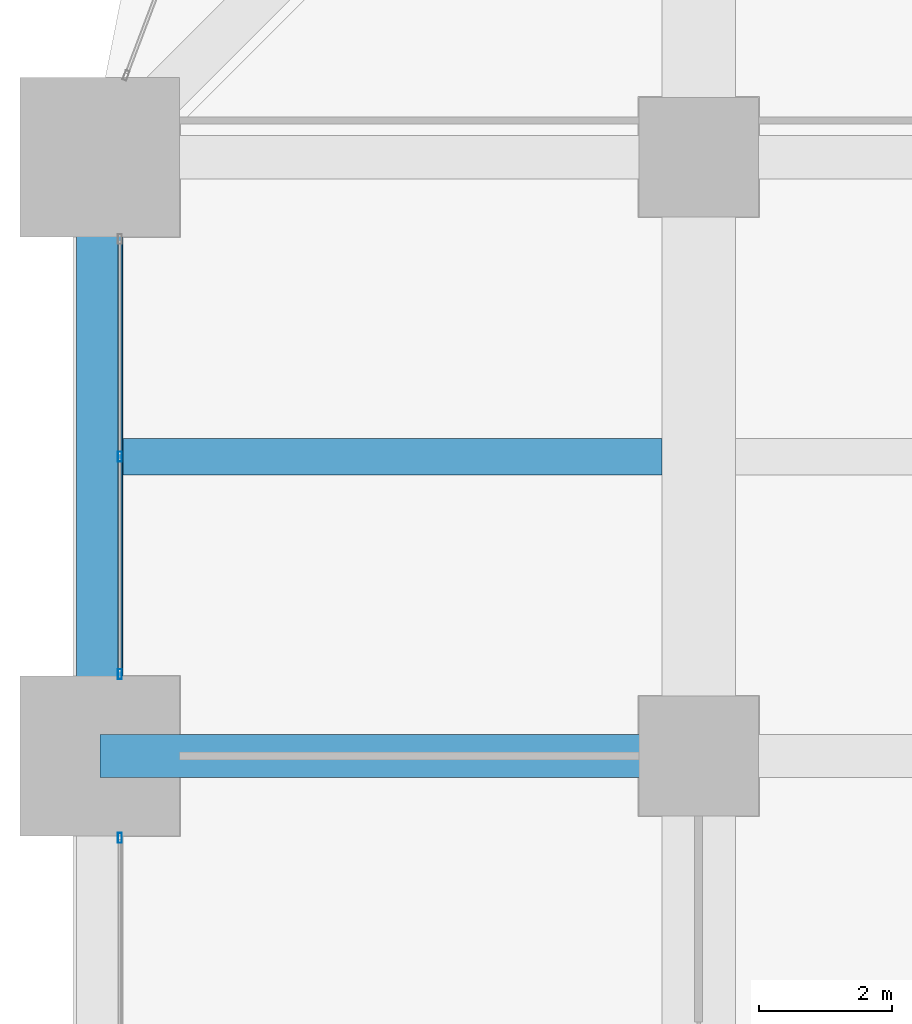
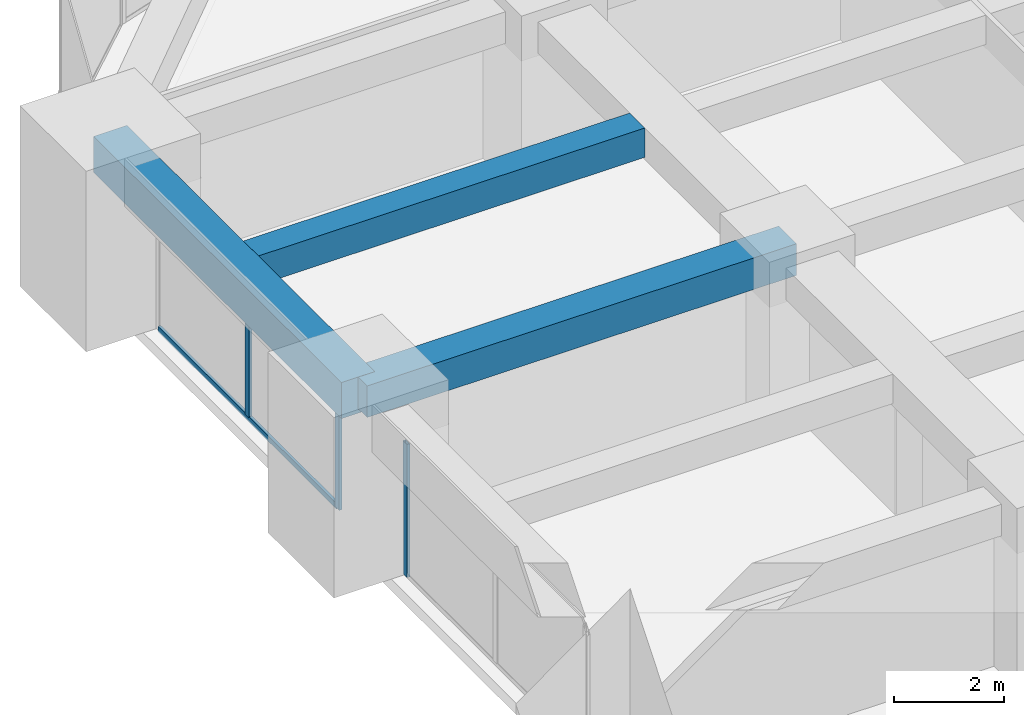
# One storey, part 11 of 40: 4 members, 3 beams, 2 elements without a shape of their own.
"""IFC4 building model written with IfcOpenShell, lengths in metres."""

from ifc_helpers import new_model, si_unit, direction, frame, origin, origin_2d, place, context, subcontext, project, spatial, rectangle, hollow_rectangle, extrude, material, material_profile, profile_set, type_object, element, aggregate, save


model = new_model("IFC4")

# Units and contexts
model_context = context("Model", 3, precision=1e-05, world=origin(), true_north=direction((0.0, 1.0)))
body_context = subcontext(model_context, "Body", "Model", "MODEL_VIEW")
ifc_project = project(units=[si_unit("LENGTHUNIT", "METRE"), si_unit("AREAUNIT", "SQUARE_METRE"), si_unit("VOLUMEUNIT", "CUBIC_METRE"), si_unit("PLANEANGLEUNIT", "RADIAN"), si_unit("MASSUNIT", "GRAM", prefix="KILO")], contexts=[model_context])

# Site, building, storey
site_placement = place(None, origin())
site = spatial("IfcSite", under=ifc_project, at=site_placement, CompositionType="ELEMENT")
building_placement = place(site_placement, origin())
building = spatial("IfcBuilding", under=site, at=building_placement, Name="Zorevar Civic Tower", CompositionType="ELEMENT")
storey_placement = place(building_placement, frame((0.0, 0.0, 133.0)))
storey = spatial("IfcBuildingStorey", under=building, at=storey_placement, Name="L32", CompositionType="ELEMENT", Elevation=133.0)

# Beams
ifc_material_1 = material(Name="Concrete C50/60", Category="concrete")
ifc_material_profile_1 = material_profile(ifc_material_1, rectangle(XDim=0.550048828125, YDim=0.64990234375, at=origin_2d()), Name="RC 550x650")
ifc_profile_set_1 = profile_set([ifc_material_profile_1], Name="Concrete C50/60")
beam_type_1 = type_object("IfcBeamType", Name="Beam RC 550x650", PredefinedType="BEAM", material=ifc_profile_set_1)
beam_1_placement = place(storey_placement, frame((0.35009765625, 31.5, 3.425048828125), z_axis=(1.0, 0.0, 0.0), x_axis=(0.0, 1.0, 0.0)))
element("IfcBeam", 1, at=beam_1_placement, inside=storey, type_object=beam_type_1, Name="Secondary beam L33", PredefinedType="BEAM", context=body_context, shape_type="SweptSolid", body=[
    extrude(rectangle(XDim=0.550048828125, YDim=0.64990234375, at=origin_2d()), origin(), (0.0, 0.0, 1.0), 8.099853515625),
])
ifc_material_2 = material(Name="Concrete C50/60", Category="concrete")
ifc_material_profile_2 = material_profile(ifc_material_2, rectangle(XDim=0.64990234375, YDim=0.699951171875, at=origin_2d()), Name="RC 650x700")
ifc_profile_set_2 = profile_set([ifc_material_profile_2], Name="Concrete C50/60")
beam_type_2 = type_object("IfcBeamType", Name="Beam RC 650x700", PredefinedType="BEAM", material=ifc_profile_set_2)
beam_2_placement = place(storey_placement, frame((0.0, 27.0, 3.39990234375), z_axis=(1.0, 0.0, 0.0), x_axis=(0.0, 1.0, 0.0)))
element("IfcBeam", 2, at=beam_2_placement, inside=storey, type_object=beam_type_2, Name="Girder L33", PredefinedType="BEAM", context=body_context, shape_type="SweptSolid", body=[
    extrude(rectangle(XDim=0.64990234375, YDim=0.699951171875, at=origin_2d()), origin(), (0.0, 0.0, 1.0), 9.0),
])

# Curtain wall, member
ifc_material_3 = material(Name="Dark grey solar-control glass in black aluminium frame", Category="aluminium")
curtain_wall_type = type_object("IfcCurtainWallType", Name="Curtain wall CW3 mid zone", PredefinedType="NOTDEFINED", material=ifc_material_3)
curtain_wall_1_placement = place(storey_placement, origin())
curtain_wall_1 = element("IfcCurtainWall", 3, at=curtain_wall_1_placement, inside=storey, type_object=curtain_wall_type, Name="CW3 L32", PredefinedType="NOTDEFINED")
ifc_material_4 = material(Name="Aluminium, black anodised", Category="aluminium")
ifc_material_profile_3 = material_profile(ifc_material_4, hollow_rectangle(XDim=0.06005859375, YDim=0.14990234375, WallThickness=0.00390625, at=origin_2d()), Name="AL 150x60x4")
ifc_profile_set_3 = profile_set([ifc_material_profile_3], Name="Aluminium, black anodised")
member_type_1 = type_object("IfcMemberType", Name="CW3 mullion AL 150x60x4", PredefinedType="MULLION", material=ifc_profile_set_3)
member_1_placement = place(storey_placement, frame((0.300048828125, 25.77001953125, 0.0), z_axis=(0.0, 0.0, 1.0), x_axis=(-1.0, 0.0, 0.0)))
member_1 = element("IfcMember", 4, at=member_1_placement, type_object=member_type_1, Name="CW3 mullion 3", PredefinedType="MULLION", context=body_context, shape_type="SweptSolid", body=[
    extrude(hollow_rectangle(XDim=0.06005859375, YDim=0.14990234375, WallThickness=0.00390625, at=origin_2d()), origin(), (0.0, 0.0, 1.0), 2.949951171875),
])
aggregate(curtain_wall_1, [member_1])

# Curtain wall, members
curtain_wall_2_placement = place(storey_placement, origin())
curtain_wall_2 = element("IfcCurtainWall", 5, at=curtain_wall_2_placement, inside=storey, type_object=curtain_wall_type, Name="CW3 L32", PredefinedType="NOTDEFINED")
member_2_placement = place(storey_placement, frame((0.300048828125, 28.22998046875, 0.0), z_axis=(0.0, 0.0, 1.0), x_axis=(-1.0, 0.0, 0.0)))
member_2 = element("IfcMember", 6, at=member_2_placement, type_object=member_type_1, Name="CW3 mullion 1", PredefinedType="MULLION", context=body_context, shape_type="SweptSolid", body=[
    extrude(hollow_rectangle(XDim=0.06005859375, YDim=0.14990234375, WallThickness=0.00390625, at=origin_2d()), origin(), (0.0, 0.0, 1.0), 2.949951171875),
])
member_3_placement = place(storey_placement, frame((0.300048828125, 31.5, 0.06005859375), z_axis=(0.0, 0.0, 1.0), x_axis=(-1.0, 0.0, 0.0)))
member_3 = element("IfcMember", 7, at=member_3_placement, type_object=member_type_1, Name="CW3 mullion 2", PredefinedType="MULLION", context=body_context, shape_type="SweptSolid", body=[
    extrude(hollow_rectangle(XDim=0.06005859375, YDim=0.14990234375, WallThickness=0.00390625, at=origin_2d()), origin(), (0.0, 0.0, 1.0), 2.889892578125),
])
ifc_material_5 = material(Name="Aluminium, black anodised", Category="aluminium")
ifc_material_profile_4 = material_profile(ifc_material_5, hollow_rectangle(XDim=0.06005859375, YDim=0.1201171875, WallThickness=0.0029296875, at=origin_2d()), Name="AL 120x60x3")
ifc_profile_set_4 = profile_set([ifc_material_profile_4], Name="Aluminium, black anodised")
member_type_2 = type_object("IfcMemberType", Name="CW3 transom AL 120x60x3", PredefinedType="USERDEFINED", material=ifc_profile_set_4)
member_4_placement = place(storey_placement, frame((0.300048828125, 28.260009765625, 0.030029296875), z_axis=(0.0, 1.0, 0.0), x_axis=(-1.0, 0.0, 0.0)))
member_4 = element("IfcMember", 8, at=member_4_placement, type_object=member_type_2, Name="CW3 sill transom", ObjectType="TRANSOM", PredefinedType="USERDEFINED", context=body_context, shape_type="SweptSolid", body=[
    extrude(hollow_rectangle(XDim=0.06005859375, YDim=0.1201171875, WallThickness=0.0029296875, at=origin_2d()), origin(), (0.0, 0.0, 1.0), 6.47998046875),
])
aggregate(curtain_wall_2, [member_2, member_3, member_4])

# Beam
ifc_material_6 = material(Name="Concrete C50/60", Category="concrete")
ifc_material_profile_5 = material_profile(ifc_material_6, rectangle(XDim=0.699951171875, YDim=0.800048828125, at=origin_2d()), Name="RC 700x800")
ifc_profile_set_5 = profile_set([ifc_material_profile_5], Name="Concrete C50/60")
beam_type_3 = type_object("IfcBeamType", Name="Edge beam RC 700x800", PredefinedType="SPANDREL", material=ifc_profile_set_5)
beam_3_placement = place(storey_placement, frame((0.0, 27.0, 3.35009765625), z_axis=(0.0, 1.0, 0.0), x_axis=(-1.0, 0.0, 0.0)))
element("IfcBeam", 9, at=beam_3_placement, inside=storey, type_object=beam_type_3, Name="Edge beam L33", PredefinedType="SPANDREL", context=body_context, shape_type="SweptSolid", body=[
    extrude(rectangle(XDim=0.699951171875, YDim=0.800048828125, at=origin_2d()), origin(), (0.0, 0.0, 1.0), 9.0),
])

save(model, "model.ifc")
